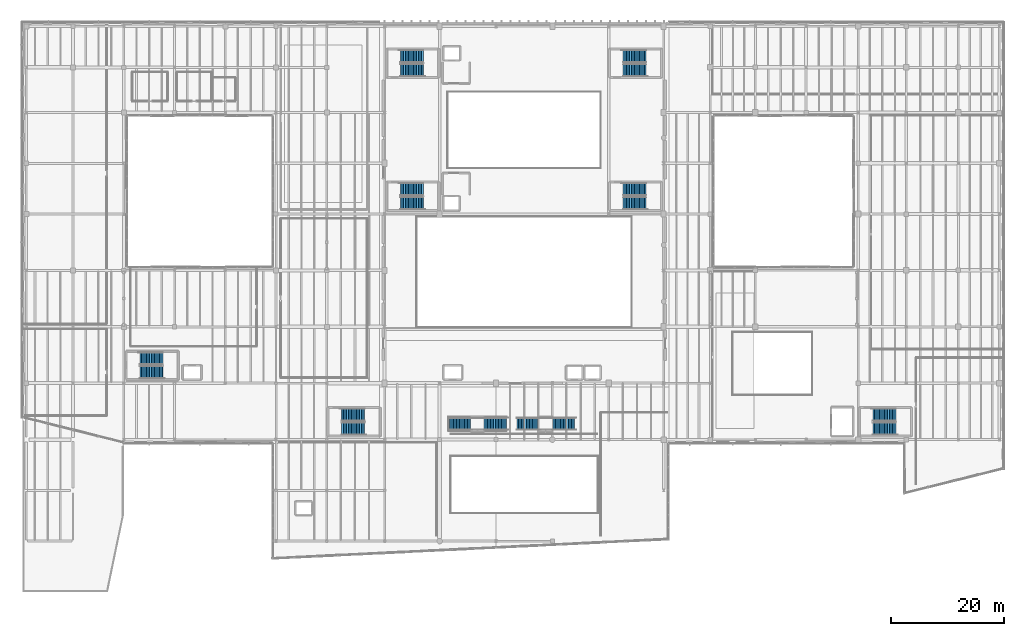
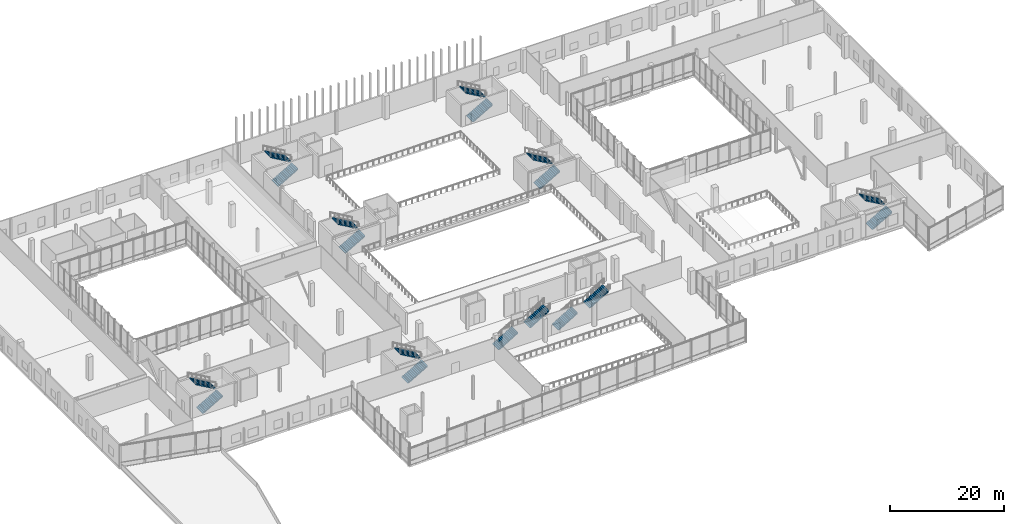
# One storey, part 66 of 81: 18 stair flights, 9 elements without a shape of their own.
"""IFC4 building model written with IfcOpenShell, lengths in metres."""

import ifcopenshell
import ifcopenshell.guid

model = None  # the IFC model being written
_history = None  # IfcOwnerHistory: only IFC2X3 demands one
_inside = {}  # id of a spatial element -> (the spatial element, [elements in it])
_under = {}  # id of a project, library or spatial element -> (it, [spatial elements below it])
_declared = {}  # id of a project -> (the project, [libraries it declares])
_typed = {}  # id of a type object -> (the type object, [elements of that type])
_made_of = {}  # id of a material, layer set ... -> (it, [elements and type objects made of it])


def new_model(schema):
    """Start an empty IFC model of exactly this schema.

    Asked for "IFC4X3", IfcOpenShell would pick the latest addendum, in which some entities
    have other attributes; the version numbers below select the first issue.
    IFC2X3 requires an IfcOwnerHistory on every rooted entity: one is made here for all.
    """
    global model, _history
    if schema == "IFC4X3":
        model = ifcopenshell.file(schema_version=(4, 3, 0, 0))
    else:
        model = ifcopenshell.file(schema=schema)
    _inside.clear()
    _under.clear()
    _declared.clear()
    _typed.clear()
    _made_of.clear()
    _history = None
    if model.schema == "IFC2X3":
        org = make("IfcOrganization", Name="unknown")
        user = make(
            "IfcPersonAndOrganization",
            ThePerson=make("IfcPerson", FamilyName="unknown"),
            TheOrganization=org,
        )
        app = make(
            "IfcApplication",
            ApplicationDeveloper=org,
            Version="unknown",
            ApplicationFullName="unknown",
            ApplicationIdentifier="unknown",
        )
        _history = make(
            "IfcOwnerHistory",
            OwningUser=user,
            OwningApplication=app,
            ChangeAction="ADDED",
            CreationDate=0,
        )
    return model


def make(cls, **values):
    """One entity of the class cls with the attributes given. An attribute that is None is left unset."""
    return model.create_entity(
        cls, **{name: value for name, value in values.items() if value is not None}
    )


def rooted(cls, **values):
    """An entity with a GlobalId (a new one), such as an element, a storey or a relation."""
    return make(cls, GlobalId=ifcopenshell.guid.new(), OwnerHistory=_history, **values)


def si_unit(unit_type, name, prefix=None):
    """IfcSIUnit, for example si_unit("LENGTHUNIT", "METRE", prefix="MILLI")."""
    return make("IfcSIUnit", UnitType=unit_type, Prefix=prefix, Name=name)


def assignment(units):
    """IfcUnitAssignment: the units of a project."""
    return None if units is None else make("IfcUnitAssignment", Units=units)


def point(xyz):
    """IfcCartesianPoint."""
    return None if xyz is None else make("IfcCartesianPoint", Coordinates=xyz)


def direction(xyz):
    """IfcDirection."""
    return None if xyz is None else make("IfcDirection", DirectionRatios=xyz)


def frame(location, z_axis=None, x_axis=None):
    """IfcAxis2Placement3D, a coordinate frame: its origin and axes. An axis left out is left unset."""
    return make(
        "IfcAxis2Placement3D",
        Location=point(location),
        Axis=direction(z_axis),
        RefDirection=direction(x_axis),
    )


def origin():
    """The frame at (0, 0, 0) with its axes left unset."""
    return frame((0.0, 0.0, 0.0))


def place(relative_to, where):
    """IfcLocalPlacement: puts the frame where relative to a parent placement (None: the world)."""
    return make(
        "IfcLocalPlacement", PlacementRelTo=relative_to, RelativePlacement=where
    )


def context(
    kind, dimensions, precision=None, world=None, true_north=None, identifier=None
):
    """IfcGeometricRepresentationContext, for example the 3D "Model" context."""
    return make(
        "IfcGeometricRepresentationContext",
        ContextIdentifier=identifier,
        ContextType=kind,
        CoordinateSpaceDimension=dimensions,
        Precision=precision,
        WorldCoordinateSystem=world,
        TrueNorth=true_north,
    )


def subcontext(parent, identifier, kind, view, scale=None):
    """IfcGeometricRepresentationSubContext, for example "Body" below "Model"."""
    return make(
        "IfcGeometricRepresentationSubContext",
        ContextIdentifier=identifier,
        ContextType=kind,
        ParentContext=parent,
        TargetScale=scale,
        TargetView=view,
    )


def project(units=None, contexts=None):
    """IfcProject with its units and contexts."""
    return rooted(
        "IfcProject",
        Name="project",
        RepresentationContexts=contexts,
        UnitsInContext=assignment(units),
    )


def spatial(cls, under=None, at=None, **own):
    """A site, building, storey or space (cls), placed at a placement, below another one or the project."""
    s = rooted(cls, ObjectPlacement=at, **own)
    if under is not None:
        _under.setdefault(under.id(), (under, []))[1].append(s)
    return s


def polyline(points):
    """IfcPolyline through the points."""
    return make("IfcPolyline", Points=[point(p) for p in points])


def outline(outer, holes=None, kind="AREA"):
    """IfcArbitraryClosedProfileDef: a profile drawn as a closed curve; with holes, ...WithVoids."""
    if holes is None:
        return make("IfcArbitraryClosedProfileDef", ProfileType=kind, OuterCurve=outer)
    return make(
        "IfcArbitraryProfileDefWithVoids",
        ProfileType=kind,
        OuterCurve=outer,
        InnerCurves=holes,
    )


def extrude(swept, where, along, depth):
    """IfcExtrudedAreaSolid: the profile swept, set in the frame where, extruded along a direction by depth."""
    return make(
        "IfcExtrudedAreaSolid",
        SweptArea=swept,
        Position=where,
        ExtrudedDirection=direction(along),
        Depth=depth,
    )


def shape(context_of_items, identifier, shape_type, items):
    """IfcShapeRepresentation: the items that make up one representation, for example the "Body"."""
    return make(
        "IfcShapeRepresentation",
        ContextOfItems=context_of_items,
        RepresentationIdentifier=identifier,
        RepresentationType=shape_type,
        Items=items,
    )


def material(Name=None, Category=None):
    """IfcMaterial."""
    return make("IfcMaterial", Name=Name, Category=Category)


def made_of(thing, what):
    """Note that an element or type object is made of a material, layer set ...; save() writes the relation."""
    if what is not None:
        _made_of.setdefault(what.id(), (what, []))[1].append(thing)
    return thing


def type_object(cls, material=None, **own):
    """A type object (cls), such as IfcWallType, which elements share."""
    return made_of(rooted(cls, **own), material)


def element(
    cls,
    number,
    at=None,
    inside=None,
    cuts=None,
    type_object=None,
    material=None,
    context=None,
    identifier="Body",
    shape_type=None,
    held_by="IfcProductDefinitionShape",
    body=None,
    shapes=None,
    **own,
):
    """One element of the class cls, such as IfcWall. Its Tag is "e" and its number.

    at: its placement. inside: the storey or other place that contains it. cuts: it is an
    opening in that element (IfcRelVoidsElement). A single representation is given by context,
    identifier, shape_type and body (its items); several are given by shapes. held_by: the class
    of the entity that holds the representations. save() writes the other relations.
    """
    e = rooted(cls, Tag="e%d" % number, ObjectPlacement=at, **own)
    if body is not None:
        shapes = [shape(context, identifier, shape_type, body)]
    if shapes is not None:
        e.Representation = make(held_by, Representations=shapes)
    if inside is not None:
        _inside.setdefault(inside.id(), (inside, []))[1].append(e)
    if cuts is not None:
        rooted(
            "IfcRelVoidsElement", RelatingBuildingElement=cuts, RelatedOpeningElement=e
        )
    if type_object is not None:
        _typed.setdefault(type_object.id(), (type_object, []))[1].append(e)
    return made_of(e, material)


def aggregate(whole, parts):
    """IfcRelAggregates: a whole, such as a stair, and the parts it consists of."""
    return rooted("IfcRelAggregates", RelatingObject=whole, RelatedObjects=parts)


def save(model, path):
    """Write the relations noted so far, then the file.

    IfcRelAggregates (storeys below a building ...), IfcRelContainedInSpatialStructure (elements
    in a storey), IfcRelDefinesByType, IfcRelAssociatesMaterial and IfcRelDeclares: one each for
    every whole, place, type object, material and project.
    """
    for whole, parts in _under.values():
        aggregate(whole, parts)
    for where, things in _inside.values():
        rooted(
            "IfcRelContainedInSpatialStructure",
            RelatedElements=things,
            RelatingStructure=where,
        )
    for kind, things in _typed.values():
        rooted("IfcRelDefinesByType", RelatedObjects=things, RelatingType=kind)
    for what, things in _made_of.values():
        rooted("IfcRelAssociatesMaterial", RelatedObjects=things, RelatingMaterial=what)
    for by, libraries in _declared.values():
        rooted("IfcRelDeclares", RelatingContext=by, RelatedDefinitions=libraries)
    model.write(path)


model = new_model("IFC4")

# Units and contexts
model_context = context("Model", 3, precision=1e-05, world=origin(), true_north=direction((0.0, 1.0)))
body_context = subcontext(model_context, "Body", "Model", "MODEL_VIEW")
ifc_project = project(units=[si_unit("LENGTHUNIT", "METRE"), si_unit("AREAUNIT", "SQUARE_METRE"), si_unit("VOLUMEUNIT", "CUBIC_METRE"), si_unit("PLANEANGLEUNIT", "RADIAN"), si_unit("MASSUNIT", "GRAM", prefix="KILO")], contexts=[model_context])

# Site, building, storey
site_placement = place(None, origin())
site = spatial("IfcSite", under=ifc_project, at=site_placement, CompositionType="ELEMENT")
building_placement = place(site_placement, origin())
building = spatial("IfcBuilding", under=site, at=building_placement, Name="Trimount Lyric Opera House", CompositionType="ELEMENT")
storey_placement = place(building_placement, frame((0.0, 0.0, 5.0)))
storey = spatial("IfcBuildingStorey", under=building, at=storey_placement, Name="L01", CompositionType="ELEMENT", Elevation=5.0)

# Stair, stair flights
ifc_material_1 = material(Name="Concrete C40/50", Category="concrete")
stair_type_1 = type_object("IfcStairType", Name="STR-CORE-A", PredefinedType="TWO_QUARTER_TURN_STAIR", material=ifc_material_1)
stair_1_placement = place(storey_placement, origin())
stair_1 = element("IfcStair", 1, at=stair_1_placement, inside=storey, type_object=stair_type_1, Name="L01 Exit Stair ST-01", PredefinedType="TWO_QUARTER_TURN_STAIR")
ifc_material_2 = material(Name="Concrete C40/50", Category="concrete")
stair_flight_type_1 = type_object("IfcStairFlightType", Name="SFL-CORE-A", PredefinedType="STRAIGHT", material=ifc_material_2)
stair_flight_1_placement = place(storey_placement, frame((67.050048828125, 109.52490234375, 0.0), z_axis=(0.0, 0.0, 1.0), x_axis=(1.0, 0.0, 0.0)))
stair_flight_1 = element("IfcStairFlight", 2, at=stair_flight_1_placement, type_object=stair_flight_type_1, Name="ST-01 flight 1", NumberOfRisers=15, NumberOfTreads=14, PredefinedType="STRAIGHT", RiserHeight=0.166666667, TreadLength=0.29, context=body_context, shape_type="SweptSolid", body=[
    extrude(outline(polyline([(0.0, 0.0), (0.0, 0.166748046875), (0.2900390625, 0.166748046875), (0.2900390625, 0.333251953125), (0.580078125, 0.333251953125), (0.580078125, 0.5), (0.8701171875, 0.5), (0.8701171875, 0.666748046875), (1.159912109375, 0.666748046875), (1.159912109375, 0.833251953125), (1.449951171875, 0.833251953125), (1.449951171875, 1.0), (1.739990234375, 1.0), (1.739990234375, 1.166748046875), (2.030029296875, 1.166748046875), (2.030029296875, 1.333251953125), (2.320068359375, 1.333251953125), (2.320068359375, 1.5), (2.610107421875, 1.5), (2.610107421875, 1.666748046875), (2.89990234375, 1.666748046875), (2.89990234375, 1.833251953125), (3.18994140625, 1.833251953125), (3.18994140625, 2.0), (3.47998046875, 2.0), (3.47998046875, 2.166748046875), (3.77001953125, 2.166748046875), (3.77001953125, 2.333251953125), (4.0439453125, 2.333251953125), (4.06005859375, 2.5), (4.06005859375, 2.160400390625), (0.30078125, 0.0), (0.0, 0.0)])), frame((0.0, 1.125, 0.0), z_axis=(0.0, -1.0, 0.0), x_axis=(1.0, 0.0, 0.0)), (0.0, 0.0, 1.0), 2.25),
])
stair_flight_2_placement = place(storey_placement, frame((71.110107421875, 111.97509765625, 2.5), z_axis=(0.0, 0.0, 1.0), x_axis=(-1.0, 0.0, 0.0)))
stair_flight_2 = element("IfcStairFlight", 3, at=stair_flight_2_placement, type_object=stair_flight_type_1, Name="ST-01 flight 2", NumberOfRisers=15, NumberOfTreads=14, PredefinedType="STRAIGHT", RiserHeight=0.166666667, TreadLength=0.29, context=body_context, shape_type="SweptSolid", body=[
    extrude(outline(polyline([(0.0, 0.0), (0.0, 0.166748046875), (0.2900390625, 0.166748046875), (0.2900390625, 0.333251953125), (0.580078125, 0.333251953125), (0.580078125, 0.5), (0.8701171875, 0.5), (0.8701171875, 0.666748046875), (1.159912109375, 0.666748046875), (1.159912109375, 0.833251953125), (1.449951171875, 0.833251953125), (1.449951171875, 1.0), (1.739990234375, 1.0), (1.739990234375, 1.166748046875), (2.030029296875, 1.166748046875), (2.030029296875, 1.333251953125), (2.320068359375, 1.333251953125), (2.320068359375, 1.5), (2.610107421875, 1.5), (2.610107421875, 1.666748046875), (2.89990234375, 1.666748046875), (2.89990234375, 1.833251953125), (3.18994140625, 1.833251953125), (3.18994140625, 2.0), (3.47998046875, 2.0), (3.47998046875, 2.166748046875), (3.77001953125, 2.166748046875), (3.77001953125, 2.333251953125), (4.0439453125, 2.333251953125), (4.06005859375, 2.5), (4.06005859375, 2.160400390625), (0.30078125, 0.0), (0.0, 0.0)])), frame((0.0, 1.125, 0.0), z_axis=(0.0, -1.0, 0.0), x_axis=(1.0, 0.0, 0.0)), (0.0, 0.0, 1.0), 2.25),
])
aggregate(stair_1, [stair_flight_1, stair_flight_2])

stair_2_placement = place(storey_placement, origin())
stair_2 = element("IfcStair", 4, at=stair_2_placement, inside=storey, type_object=stair_type_1, Name="L01 Exit Stair ST-02", PredefinedType="TWO_QUARTER_TURN_STAIR")
stair_flight_3_placement = place(storey_placement, frame((106.550048828125, 109.52490234375, 0.0), z_axis=(0.0, 0.0, 1.0), x_axis=(1.0, 0.0, 0.0)))
stair_flight_3 = element("IfcStairFlight", 5, at=stair_flight_3_placement, type_object=stair_flight_type_1, Name="ST-02 flight 1", NumberOfRisers=15, NumberOfTreads=14, PredefinedType="STRAIGHT", RiserHeight=0.166666667, TreadLength=0.29, context=body_context, shape_type="SweptSolid", body=[
    extrude(outline(polyline([(0.0, 0.0), (0.0, 0.166748046875), (0.2900390625, 0.166748046875), (0.2900390625, 0.333251953125), (0.580078125, 0.333251953125), (0.580078125, 0.5), (0.8701171875, 0.5), (0.8701171875, 0.666748046875), (1.159912109375, 0.666748046875), (1.159912109375, 0.833251953125), (1.449951171875, 0.833251953125), (1.449951171875, 1.0), (1.739990234375, 1.0), (1.739990234375, 1.166748046875), (2.030029296875, 1.166748046875), (2.030029296875, 1.333251953125), (2.320068359375, 1.333251953125), (2.320068359375, 1.5), (2.610107421875, 1.5), (2.610107421875, 1.666748046875), (2.89990234375, 1.666748046875), (2.89990234375, 1.833251953125), (3.18994140625, 1.833251953125), (3.18994140625, 2.0), (3.47998046875, 2.0), (3.47998046875, 2.166748046875), (3.77001953125, 2.166748046875), (3.77001953125, 2.333251953125), (4.0439453125, 2.333251953125), (4.06005859375, 2.5), (4.06005859375, 2.160400390625), (0.30078125, 0.0), (0.0, 0.0)])), frame((0.0, 1.125, 0.0), z_axis=(0.0, -1.0, 0.0), x_axis=(1.0, 0.0, 0.0)), (0.0, 0.0, 1.0), 2.25),
])
stair_flight_4_placement = place(storey_placement, frame((110.610107421875, 111.97509765625, 2.5), z_axis=(0.0, 0.0, 1.0), x_axis=(-1.0, 0.0, 0.0)))
stair_flight_4 = element("IfcStairFlight", 6, at=stair_flight_4_placement, type_object=stair_flight_type_1, Name="ST-02 flight 2", NumberOfRisers=15, NumberOfTreads=14, PredefinedType="STRAIGHT", RiserHeight=0.166666667, TreadLength=0.29, context=body_context, shape_type="SweptSolid", body=[
    extrude(outline(polyline([(0.0, 0.0), (0.0, 0.166748046875), (0.2900390625, 0.166748046875), (0.2900390625, 0.333251953125), (0.580078125, 0.333251953125), (0.580078125, 0.5), (0.8701171875, 0.5), (0.8701171875, 0.666748046875), (1.159912109375, 0.666748046875), (1.159912109375, 0.833251953125), (1.449951171875, 0.833251953125), (1.449951171875, 1.0), (1.739990234375, 1.0), (1.739990234375, 1.166748046875), (2.030029296875, 1.166748046875), (2.030029296875, 1.333251953125), (2.320068359375, 1.333251953125), (2.320068359375, 1.5), (2.610107421875, 1.5), (2.610107421875, 1.666748046875), (2.89990234375, 1.666748046875), (2.89990234375, 1.833251953125), (3.18994140625, 1.833251953125), (3.18994140625, 2.0), (3.47998046875, 2.0), (3.47998046875, 2.166748046875), (3.77001953125, 2.166748046875), (3.77001953125, 2.333251953125), (4.0439453125, 2.333251953125), (4.06005859375, 2.5), (4.06005859375, 2.160400390625), (0.30078125, 0.0), (0.0, 0.0)])), frame((0.0, 1.125, 0.0), z_axis=(0.0, -1.0, 0.0), x_axis=(1.0, 0.0, 0.0)), (0.0, 0.0, 1.0), 2.25),
])
aggregate(stair_2, [stair_flight_3, stair_flight_4])

stair_3_placement = place(storey_placement, origin())
stair_3 = element("IfcStair", 7, at=stair_3_placement, inside=storey, type_object=stair_type_1, Name="L01 Exit Stair ST-03", PredefinedType="TWO_QUARTER_TURN_STAIR")
stair_flight_5_placement = place(storey_placement, frame((67.050048828125, 85.925048828125, 0.0), z_axis=(0.0, 0.0, 1.0), x_axis=(1.0, 0.0, 0.0)))
stair_flight_5 = element("IfcStairFlight", 8, at=stair_flight_5_placement, type_object=stair_flight_type_1, Name="ST-03 flight 1", NumberOfRisers=15, NumberOfTreads=14, PredefinedType="STRAIGHT", RiserHeight=0.166666667, TreadLength=0.29, context=body_context, shape_type="SweptSolid", body=[
    extrude(outline(polyline([(0.0, 0.0), (0.0, 0.166748046875), (0.2900390625, 0.166748046875), (0.2900390625, 0.333251953125), (0.580078125, 0.333251953125), (0.580078125, 0.5), (0.8701171875, 0.5), (0.8701171875, 0.666748046875), (1.159912109375, 0.666748046875), (1.159912109375, 0.833251953125), (1.449951171875, 0.833251953125), (1.449951171875, 1.0), (1.739990234375, 1.0), (1.739990234375, 1.166748046875), (2.030029296875, 1.166748046875), (2.030029296875, 1.333251953125), (2.320068359375, 1.333251953125), (2.320068359375, 1.5), (2.610107421875, 1.5), (2.610107421875, 1.666748046875), (2.89990234375, 1.666748046875), (2.89990234375, 1.833251953125), (3.18994140625, 1.833251953125), (3.18994140625, 2.0), (3.47998046875, 2.0), (3.47998046875, 2.166748046875), (3.77001953125, 2.166748046875), (3.77001953125, 2.333251953125), (4.0439453125, 2.333251953125), (4.06005859375, 2.5), (4.06005859375, 2.160400390625), (0.30078125, 0.0), (0.0, 0.0)])), frame((0.0, 1.125, 0.0), z_axis=(0.0, -1.0, 0.0), x_axis=(1.0, 0.0, 0.0)), (0.0, 0.0, 1.0), 2.25),
])
stair_flight_6_placement = place(storey_placement, frame((71.110107421875, 88.375, 2.5), z_axis=(0.0, 0.0, 1.0), x_axis=(-1.0, 0.0, 0.0)))
stair_flight_6 = element("IfcStairFlight", 9, at=stair_flight_6_placement, type_object=stair_flight_type_1, Name="ST-03 flight 2", NumberOfRisers=15, NumberOfTreads=14, PredefinedType="STRAIGHT", RiserHeight=0.166666667, TreadLength=0.29, context=body_context, shape_type="SweptSolid", body=[
    extrude(outline(polyline([(0.0, 0.0), (0.0, 0.166748046875), (0.2900390625, 0.166748046875), (0.2900390625, 0.333251953125), (0.580078125, 0.333251953125), (0.580078125, 0.5), (0.8701171875, 0.5), (0.8701171875, 0.666748046875), (1.159912109375, 0.666748046875), (1.159912109375, 0.833251953125), (1.449951171875, 0.833251953125), (1.449951171875, 1.0), (1.739990234375, 1.0), (1.739990234375, 1.166748046875), (2.030029296875, 1.166748046875), (2.030029296875, 1.333251953125), (2.320068359375, 1.333251953125), (2.320068359375, 1.5), (2.610107421875, 1.5), (2.610107421875, 1.666748046875), (2.89990234375, 1.666748046875), (2.89990234375, 1.833251953125), (3.18994140625, 1.833251953125), (3.18994140625, 2.0), (3.47998046875, 2.0), (3.47998046875, 2.166748046875), (3.77001953125, 2.166748046875), (3.77001953125, 2.333251953125), (4.0439453125, 2.333251953125), (4.06005859375, 2.5), (4.06005859375, 2.160400390625), (0.30078125, 0.0), (0.0, 0.0)])), frame((0.0, 1.125, 0.0), z_axis=(0.0, -1.0, 0.0), x_axis=(1.0, 0.0, 0.0)), (0.0, 0.0, 1.0), 2.25),
])
aggregate(stair_3, [stair_flight_5, stair_flight_6])

stair_4_placement = place(storey_placement, origin())
stair_4 = element("IfcStair", 10, at=stair_4_placement, inside=storey, type_object=stair_type_1, Name="L01 Exit Stair ST-04", PredefinedType="TWO_QUARTER_TURN_STAIR")
stair_flight_7_placement = place(storey_placement, frame((106.550048828125, 85.925048828125, 0.0), z_axis=(0.0, 0.0, 1.0), x_axis=(1.0, 0.0, 0.0)))
stair_flight_7 = element("IfcStairFlight", 11, at=stair_flight_7_placement, type_object=stair_flight_type_1, Name="ST-04 flight 1", NumberOfRisers=15, NumberOfTreads=14, PredefinedType="STRAIGHT", RiserHeight=0.166666667, TreadLength=0.29, context=body_context, shape_type="SweptSolid", body=[
    extrude(outline(polyline([(0.0, 0.0), (0.0, 0.166748046875), (0.2900390625, 0.166748046875), (0.2900390625, 0.333251953125), (0.580078125, 0.333251953125), (0.580078125, 0.5), (0.8701171875, 0.5), (0.8701171875, 0.666748046875), (1.159912109375, 0.666748046875), (1.159912109375, 0.833251953125), (1.449951171875, 0.833251953125), (1.449951171875, 1.0), (1.739990234375, 1.0), (1.739990234375, 1.166748046875), (2.030029296875, 1.166748046875), (2.030029296875, 1.333251953125), (2.320068359375, 1.333251953125), (2.320068359375, 1.5), (2.610107421875, 1.5), (2.610107421875, 1.666748046875), (2.89990234375, 1.666748046875), (2.89990234375, 1.833251953125), (3.18994140625, 1.833251953125), (3.18994140625, 2.0), (3.47998046875, 2.0), (3.47998046875, 2.166748046875), (3.77001953125, 2.166748046875), (3.77001953125, 2.333251953125), (4.0439453125, 2.333251953125), (4.06005859375, 2.5), (4.06005859375, 2.160400390625), (0.30078125, 0.0), (0.0, 0.0)])), frame((0.0, 1.125, 0.0), z_axis=(0.0, -1.0, 0.0), x_axis=(1.0, 0.0, 0.0)), (0.0, 0.0, 1.0), 2.25),
])
stair_flight_8_placement = place(storey_placement, frame((110.610107421875, 88.375, 2.5), z_axis=(0.0, 0.0, 1.0), x_axis=(-1.0, 0.0, 0.0)))
stair_flight_8 = element("IfcStairFlight", 12, at=stair_flight_8_placement, type_object=stair_flight_type_1, Name="ST-04 flight 2", NumberOfRisers=15, NumberOfTreads=14, PredefinedType="STRAIGHT", RiserHeight=0.166666667, TreadLength=0.29, context=body_context, shape_type="SweptSolid", body=[
    extrude(outline(polyline([(0.0, 0.0), (0.0, 0.166748046875), (0.2900390625, 0.166748046875), (0.2900390625, 0.333251953125), (0.580078125, 0.333251953125), (0.580078125, 0.5), (0.8701171875, 0.5), (0.8701171875, 0.666748046875), (1.159912109375, 0.666748046875), (1.159912109375, 0.833251953125), (1.449951171875, 0.833251953125), (1.449951171875, 1.0), (1.739990234375, 1.0), (1.739990234375, 1.166748046875), (2.030029296875, 1.166748046875), (2.030029296875, 1.333251953125), (2.320068359375, 1.333251953125), (2.320068359375, 1.5), (2.610107421875, 1.5), (2.610107421875, 1.666748046875), (2.89990234375, 1.666748046875), (2.89990234375, 1.833251953125), (3.18994140625, 1.833251953125), (3.18994140625, 2.0), (3.47998046875, 2.0), (3.47998046875, 2.166748046875), (3.77001953125, 2.166748046875), (3.77001953125, 2.333251953125), (4.0439453125, 2.333251953125), (4.06005859375, 2.5), (4.06005859375, 2.160400390625), (0.30078125, 0.0), (0.0, 0.0)])), frame((0.0, 1.125, 0.0), z_axis=(0.0, -1.0, 0.0), x_axis=(1.0, 0.0, 0.0)), (0.0, 0.0, 1.0), 2.25),
])
aggregate(stair_4, [stair_flight_7, stair_flight_8])

stair_5_placement = place(storey_placement, origin())
stair_5 = element("IfcStair", 13, at=stair_5_placement, inside=storey, type_object=stair_type_1, Name="L01 Exit Stair ST-05", PredefinedType="TWO_QUARTER_TURN_STAIR")
stair_flight_9_placement = place(storey_placement, frame((150.85009765625, 45.925048828125, 0.0), z_axis=(0.0, 0.0, 1.0), x_axis=(1.0, 0.0, 0.0)))
stair_flight_9 = element("IfcStairFlight", 14, at=stair_flight_9_placement, type_object=stair_flight_type_1, Name="ST-05 flight 1", NumberOfRisers=15, NumberOfTreads=14, PredefinedType="STRAIGHT", RiserHeight=0.166666667, TreadLength=0.29, context=body_context, shape_type="SweptSolid", body=[
    extrude(outline(polyline([(0.0, 0.0), (0.0, 0.166748046875), (0.2900390625, 0.166748046875), (0.2900390625, 0.333251953125), (0.580078125, 0.333251953125), (0.580078125, 0.5), (0.8701171875, 0.5), (0.8701171875, 0.666748046875), (1.159912109375, 0.666748046875), (1.159912109375, 0.833251953125), (1.449951171875, 0.833251953125), (1.449951171875, 1.0), (1.739990234375, 1.0), (1.739990234375, 1.166748046875), (2.030029296875, 1.166748046875), (2.030029296875, 1.333251953125), (2.320068359375, 1.333251953125), (2.320068359375, 1.5), (2.610107421875, 1.5), (2.610107421875, 1.666748046875), (2.89990234375, 1.666748046875), (2.89990234375, 1.833251953125), (3.18994140625, 1.833251953125), (3.18994140625, 2.0), (3.47998046875, 2.0), (3.47998046875, 2.166748046875), (3.77001953125, 2.166748046875), (3.77001953125, 2.333251953125), (4.0439453125, 2.333251953125), (4.06005859375, 2.5), (4.06005859375, 2.160400390625), (0.30078125, 0.0), (0.0, 0.0)])), frame((0.0, 1.125, 0.0), z_axis=(0.0, -1.0, 0.0), x_axis=(1.0, 0.0, 0.0)), (0.0, 0.0, 1.0), 2.25),
])
stair_flight_10_placement = place(storey_placement, frame((154.909912109375, 48.375, 2.5), z_axis=(0.0, 0.0, 1.0), x_axis=(-1.0, 0.0, 0.0)))
stair_flight_10 = element("IfcStairFlight", 15, at=stair_flight_10_placement, type_object=stair_flight_type_1, Name="ST-05 flight 2", NumberOfRisers=15, NumberOfTreads=14, PredefinedType="STRAIGHT", RiserHeight=0.166666667, TreadLength=0.29, context=body_context, shape_type="SweptSolid", body=[
    extrude(outline(polyline([(0.0, 0.0), (0.0, 0.166748046875), (0.2900390625, 0.166748046875), (0.2900390625, 0.333251953125), (0.580078125, 0.333251953125), (0.580078125, 0.5), (0.8701171875, 0.5), (0.8701171875, 0.666748046875), (1.159912109375, 0.666748046875), (1.159912109375, 0.833251953125), (1.449951171875, 0.833251953125), (1.449951171875, 1.0), (1.739990234375, 1.0), (1.739990234375, 1.166748046875), (2.030029296875, 1.166748046875), (2.030029296875, 1.333251953125), (2.320068359375, 1.333251953125), (2.320068359375, 1.5), (2.610107421875, 1.5), (2.610107421875, 1.666748046875), (2.89990234375, 1.666748046875), (2.89990234375, 1.833251953125), (3.18994140625, 1.833251953125), (3.18994140625, 2.0), (3.47998046875, 2.0), (3.47998046875, 2.166748046875), (3.77001953125, 2.166748046875), (3.77001953125, 2.333251953125), (4.0439453125, 2.333251953125), (4.06005859375, 2.5), (4.06005859375, 2.160400390625), (0.30078125, 0.0), (0.0, 0.0)])), frame((0.0, 1.125, 0.0), z_axis=(0.0, -1.0, 0.0), x_axis=(1.0, 0.0, 0.0)), (0.0, 0.0, 1.0), 2.25),
])
aggregate(stair_5, [stair_flight_9, stair_flight_10])

stair_6_placement = place(storey_placement, origin())
stair_6 = element("IfcStair", 16, at=stair_6_placement, inside=storey, type_object=stair_type_1, Name="L01 Exit Stair ST-06", PredefinedType="TWO_QUARTER_TURN_STAIR")
stair_flight_11_placement = place(storey_placement, frame((20.85009765625, 55.925048828125, 0.0), z_axis=(0.0, 0.0, 1.0), x_axis=(1.0, 0.0, 0.0)))
stair_flight_11 = element("IfcStairFlight", 17, at=stair_flight_11_placement, type_object=stair_flight_type_1, Name="ST-06 flight 1", NumberOfRisers=15, NumberOfTreads=14, PredefinedType="STRAIGHT", RiserHeight=0.166666667, TreadLength=0.29, context=body_context, shape_type="SweptSolid", body=[
    extrude(outline(polyline([(0.0, 0.0), (0.0, 0.166748046875), (0.2900390625, 0.166748046875), (0.2900390625, 0.333251953125), (0.580078125, 0.333251953125), (0.580078125, 0.5), (0.8701171875, 0.5), (0.8701171875, 0.666748046875), (1.159912109375, 0.666748046875), (1.159912109375, 0.833251953125), (1.449951171875, 0.833251953125), (1.449951171875, 1.0), (1.739990234375, 1.0), (1.739990234375, 1.166748046875), (2.030029296875, 1.166748046875), (2.030029296875, 1.333251953125), (2.320068359375, 1.333251953125), (2.320068359375, 1.5), (2.610107421875, 1.5), (2.610107421875, 1.666748046875), (2.89990234375, 1.666748046875), (2.89990234375, 1.833251953125), (3.18994140625, 1.833251953125), (3.18994140625, 2.0), (3.47998046875, 2.0), (3.47998046875, 2.166748046875), (3.77001953125, 2.166748046875), (3.77001953125, 2.333251953125), (4.0439453125, 2.333251953125), (4.06005859375, 2.5), (4.06005859375, 2.160400390625), (0.30078125, 0.0), (0.0, 0.0)])), frame((0.0, 1.125, 0.0), z_axis=(0.0, -1.0, 0.0), x_axis=(1.0, 0.0, 0.0)), (0.0, 0.0, 1.0), 2.25),
])
stair_flight_12_placement = place(storey_placement, frame((24.909912109375, 58.375, 2.5), z_axis=(0.0, 0.0, 1.0), x_axis=(-1.0, 0.0, 0.0)))
stair_flight_12 = element("IfcStairFlight", 18, at=stair_flight_12_placement, type_object=stair_flight_type_1, Name="ST-06 flight 2", NumberOfRisers=15, NumberOfTreads=14, PredefinedType="STRAIGHT", RiserHeight=0.166666667, TreadLength=0.29, context=body_context, shape_type="SweptSolid", body=[
    extrude(outline(polyline([(0.0, 0.0), (0.0, 0.166748046875), (0.2900390625, 0.166748046875), (0.2900390625, 0.333251953125), (0.580078125, 0.333251953125), (0.580078125, 0.5), (0.8701171875, 0.5), (0.8701171875, 0.666748046875), (1.159912109375, 0.666748046875), (1.159912109375, 0.833251953125), (1.449951171875, 0.833251953125), (1.449951171875, 1.0), (1.739990234375, 1.0), (1.739990234375, 1.166748046875), (2.030029296875, 1.166748046875), (2.030029296875, 1.333251953125), (2.320068359375, 1.333251953125), (2.320068359375, 1.5), (2.610107421875, 1.5), (2.610107421875, 1.666748046875), (2.89990234375, 1.666748046875), (2.89990234375, 1.833251953125), (3.18994140625, 1.833251953125), (3.18994140625, 2.0), (3.47998046875, 2.0), (3.47998046875, 2.166748046875), (3.77001953125, 2.166748046875), (3.77001953125, 2.333251953125), (4.0439453125, 2.333251953125), (4.06005859375, 2.5), (4.06005859375, 2.160400390625), (0.30078125, 0.0), (0.0, 0.0)])), frame((0.0, 1.125, 0.0), z_axis=(0.0, -1.0, 0.0), x_axis=(1.0, 0.0, 0.0)), (0.0, 0.0, 1.0), 2.25),
])
aggregate(stair_6, [stair_flight_11, stair_flight_12])

stair_7_placement = place(storey_placement, origin())
stair_7 = element("IfcStair", 19, at=stair_7_placement, inside=storey, type_object=stair_type_1, Name="L01 Exit Stair ST-07", PredefinedType="TWO_QUARTER_TURN_STAIR")
stair_flight_13_placement = place(storey_placement, frame((56.64990234375, 45.925048828125, 0.0), z_axis=(0.0, 0.0, 1.0), x_axis=(1.0, 0.0, 0.0)))
stair_flight_13 = element("IfcStairFlight", 20, at=stair_flight_13_placement, type_object=stair_flight_type_1, Name="ST-07 flight 1", NumberOfRisers=15, NumberOfTreads=14, PredefinedType="STRAIGHT", RiserHeight=0.166666667, TreadLength=0.29, context=body_context, shape_type="SweptSolid", body=[
    extrude(outline(polyline([(0.0, 0.0), (0.0, 0.166748046875), (0.2900390625, 0.166748046875), (0.2900390625, 0.333251953125), (0.580078125, 0.333251953125), (0.580078125, 0.5), (0.8701171875, 0.5), (0.8701171875, 0.666748046875), (1.159912109375, 0.666748046875), (1.159912109375, 0.833251953125), (1.449951171875, 0.833251953125), (1.449951171875, 1.0), (1.739990234375, 1.0), (1.739990234375, 1.166748046875), (2.030029296875, 1.166748046875), (2.030029296875, 1.333251953125), (2.320068359375, 1.333251953125), (2.320068359375, 1.5), (2.610107421875, 1.5), (2.610107421875, 1.666748046875), (2.89990234375, 1.666748046875), (2.89990234375, 1.833251953125), (3.18994140625, 1.833251953125), (3.18994140625, 2.0), (3.47998046875, 2.0), (3.47998046875, 2.166748046875), (3.77001953125, 2.166748046875), (3.77001953125, 2.333251953125), (4.0439453125, 2.333251953125), (4.06005859375, 2.5), (4.06005859375, 2.160400390625), (0.30078125, 0.0), (0.0, 0.0)])), frame((0.0, 1.125, 0.0), z_axis=(0.0, -1.0, 0.0), x_axis=(1.0, 0.0, 0.0)), (0.0, 0.0, 1.0), 2.25),
])
stair_flight_14_placement = place(storey_placement, frame((60.7099609375, 48.375, 2.5), z_axis=(0.0, 0.0, 1.0), x_axis=(-1.0, 0.0, 0.0)))
stair_flight_14 = element("IfcStairFlight", 21, at=stair_flight_14_placement, type_object=stair_flight_type_1, Name="ST-07 flight 2", NumberOfRisers=15, NumberOfTreads=14, PredefinedType="STRAIGHT", RiserHeight=0.166666667, TreadLength=0.29, context=body_context, shape_type="SweptSolid", body=[
    extrude(outline(polyline([(0.0, 0.0), (0.0, 0.166748046875), (0.2900390625, 0.166748046875), (0.2900390625, 0.333251953125), (0.580078125, 0.333251953125), (0.580078125, 0.5), (0.8701171875, 0.5), (0.8701171875, 0.666748046875), (1.159912109375, 0.666748046875), (1.159912109375, 0.833251953125), (1.449951171875, 0.833251953125), (1.449951171875, 1.0), (1.739990234375, 1.0), (1.739990234375, 1.166748046875), (2.030029296875, 1.166748046875), (2.030029296875, 1.333251953125), (2.320068359375, 1.333251953125), (2.320068359375, 1.5), (2.610107421875, 1.5), (2.610107421875, 1.666748046875), (2.89990234375, 1.666748046875), (2.89990234375, 1.833251953125), (3.18994140625, 1.833251953125), (3.18994140625, 2.0), (3.47998046875, 2.0), (3.47998046875, 2.166748046875), (3.77001953125, 2.166748046875), (3.77001953125, 2.333251953125), (4.0439453125, 2.333251953125), (4.06005859375, 2.5), (4.06005859375, 2.160400390625), (0.30078125, 0.0), (0.0, 0.0)])), frame((0.0, 1.125, 0.0), z_axis=(0.0, -1.0, 0.0), x_axis=(1.0, 0.0, 0.0)), (0.0, 0.0, 1.0), 2.25),
])
aggregate(stair_7, [stair_flight_13, stair_flight_14])

ifc_material_3 = material(Name="Steel ASTM A36", Category="steel")
stair_type_2 = type_object("IfcStairType", Name="STR-FOY-2", PredefinedType="STRAIGHT_RUN_STAIR", material=ifc_material_3)
stair_8_placement = place(storey_placement, origin())
stair_8 = element("IfcStair", 22, at=stair_8_placement, inside=storey, type_object=stair_type_2, Name="Winter-Garden Upper Promenade Stair", PredefinedType="STRAIGHT_RUN_STAIR")
ifc_material_4 = material(Name="Steel ASTM A36", Category="steel")
stair_flight_type_2 = type_object("IfcStairFlightType", Name="SFL-FOY-2", PredefinedType="STRAIGHT", material=ifc_material_4)
stair_flight_15_placement = place(storey_placement, frame((75.60009765625, 46.800048828125, 0.0), z_axis=(0.0, 0.0, 1.0), x_axis=(1.0, 0.0, 0.0)))
stair_flight_15 = element("IfcStairFlight", 23, at=stair_flight_15_placement, type_object=stair_flight_type_2, Name="FS-03 flight 1", NumberOfRisers=15, NumberOfTreads=14, PredefinedType="STRAIGHT", RiserHeight=0.166666667, TreadLength=0.28, context=body_context, shape_type="SweptSolid", body=[
    extrude(outline(polyline([(0.0, 0.0), (0.0, 0.166748046875), (0.280029296875, 0.166748046875), (0.280029296875, 0.333251953125), (0.56005859375, 0.333251953125), (0.56005859375, 0.5), (0.840087890625, 0.5), (0.840087890625, 0.666748046875), (1.1201171875, 0.666748046875), (1.1201171875, 0.833251953125), (1.39990234375, 0.833251953125), (1.39990234375, 1.0), (1.679931640625, 1.0), (1.679931640625, 1.166748046875), (1.9599609375, 1.166748046875), (1.9599609375, 1.333251953125), (2.239990234375, 1.333251953125), (2.239990234375, 1.5), (2.52001953125, 1.5), (2.52001953125, 1.666748046875), (2.800048828125, 1.666748046875), (2.800048828125, 1.833251953125), (3.080078125, 1.833251953125), (3.080078125, 2.0), (3.360107421875, 2.0), (3.360107421875, 2.166748046875), (3.639892578125, 2.166748046875), (3.639892578125, 2.333251953125), (3.90380859375, 2.333251953125), (3.919921875, 2.5), (3.919921875, 2.135498046875), (0.332275390625, 0.0), (0.0, 0.0)])), frame((0.0, 1.10009765625, 0.0), z_axis=(0.0, -1.0, 0.0), x_axis=(1.0, 0.0, 0.0)), (0.0, 0.0, 1.0), 2.199951171875),
])
stair_flight_16_placement = place(storey_placement, frame((81.919921875, 46.800048828125, 2.5), z_axis=(0.0, 0.0, 1.0), x_axis=(1.0, 0.0, 0.0)))
stair_flight_16 = element("IfcStairFlight", 24, at=stair_flight_16_placement, type_object=stair_flight_type_2, Name="FS-03 flight 2", NumberOfRisers=15, NumberOfTreads=14, PredefinedType="STRAIGHT", RiserHeight=0.166666667, TreadLength=0.28, context=body_context, shape_type="SweptSolid", body=[
    extrude(outline(polyline([(0.0, 0.0), (0.0, 0.166748046875), (0.280029296875, 0.166748046875), (0.280029296875, 0.333251953125), (0.56005859375, 0.333251953125), (0.56005859375, 0.5), (0.840087890625, 0.5), (0.840087890625, 0.666748046875), (1.1201171875, 0.666748046875), (1.1201171875, 0.833251953125), (1.39990234375, 0.833251953125), (1.39990234375, 1.0), (1.679931640625, 1.0), (1.679931640625, 1.166748046875), (1.9599609375, 1.166748046875), (1.9599609375, 1.333251953125), (2.239990234375, 1.333251953125), (2.239990234375, 1.5), (2.52001953125, 1.5), (2.52001953125, 1.666748046875), (2.800048828125, 1.666748046875), (2.800048828125, 1.833251953125), (3.080078125, 1.833251953125), (3.080078125, 2.0), (3.360107421875, 2.0), (3.360107421875, 2.166748046875), (3.639892578125, 2.166748046875), (3.639892578125, 2.333251953125), (3.90380859375, 2.333251953125), (3.919921875, 2.5), (3.919921875, 2.135498046875), (0.332275390625, 0.0), (0.0, 0.0)])), frame((0.0, 1.10009765625, 0.0), z_axis=(0.0, -1.0, 0.0), x_axis=(1.0, 0.0, 0.0)), (0.0, 0.0, 1.0), 2.199951171875),
])
aggregate(stair_8, [stair_flight_15, stair_flight_16])

stair_9_placement = place(storey_placement, origin())
stair_9 = element("IfcStair", 25, at=stair_9_placement, inside=storey, type_object=stair_type_2, Name="Winter-Garden East Promenade Stair", PredefinedType="STRAIGHT_RUN_STAIR")
stair_flight_17_placement = place(storey_placement, frame((87.699951171875, 46.800048828125, 0.0), z_axis=(0.0, 0.0, 1.0), x_axis=(1.0, 0.0, 0.0)))
stair_flight_17 = element("IfcStairFlight", 26, at=stair_flight_17_placement, type_object=stair_flight_type_2, Name="FS-05 flight 1", NumberOfRisers=15, NumberOfTreads=14, PredefinedType="STRAIGHT", RiserHeight=0.166666667, TreadLength=0.28, context=body_context, shape_type="SweptSolid", body=[
    extrude(outline(polyline([(0.0, 0.0), (0.0, 0.166748046875), (0.280029296875, 0.166748046875), (0.280029296875, 0.333251953125), (0.56005859375, 0.333251953125), (0.56005859375, 0.5), (0.840087890625, 0.5), (0.840087890625, 0.666748046875), (1.1201171875, 0.666748046875), (1.1201171875, 0.833251953125), (1.39990234375, 0.833251953125), (1.39990234375, 1.0), (1.679931640625, 1.0), (1.679931640625, 1.166748046875), (1.9599609375, 1.166748046875), (1.9599609375, 1.333251953125), (2.239990234375, 1.333251953125), (2.239990234375, 1.5), (2.52001953125, 1.5), (2.52001953125, 1.666748046875), (2.800048828125, 1.666748046875), (2.800048828125, 1.833251953125), (3.080078125, 1.833251953125), (3.080078125, 2.0), (3.360107421875, 2.0), (3.360107421875, 2.166748046875), (3.639892578125, 2.166748046875), (3.639892578125, 2.333251953125), (3.90380859375, 2.333251953125), (3.919921875, 2.5), (3.919921875, 2.135498046875), (0.332275390625, 0.0), (0.0, 0.0)])), frame((0.0, 1.10009765625, 0.0), z_axis=(0.0, -1.0, 0.0), x_axis=(1.0, 0.0, 0.0)), (0.0, 0.0, 1.0), 2.199951171875),
])
stair_flight_18_placement = place(storey_placement, frame((94.02001953125, 46.800048828125, 2.5), z_axis=(0.0, 0.0, 1.0), x_axis=(1.0, 0.0, 0.0)))
stair_flight_18 = element("IfcStairFlight", 27, at=stair_flight_18_placement, type_object=stair_flight_type_2, Name="FS-05 flight 2", NumberOfRisers=15, NumberOfTreads=14, PredefinedType="STRAIGHT", RiserHeight=0.166666667, TreadLength=0.28, context=body_context, shape_type="SweptSolid", body=[
    extrude(outline(polyline([(0.0, 0.0), (0.0, 0.166748046875), (0.280029296875, 0.166748046875), (0.280029296875, 0.333251953125), (0.56005859375, 0.333251953125), (0.56005859375, 0.5), (0.840087890625, 0.5), (0.840087890625, 0.666748046875), (1.1201171875, 0.666748046875), (1.1201171875, 0.833251953125), (1.39990234375, 0.833251953125), (1.39990234375, 1.0), (1.679931640625, 1.0), (1.679931640625, 1.166748046875), (1.9599609375, 1.166748046875), (1.9599609375, 1.333251953125), (2.239990234375, 1.333251953125), (2.239990234375, 1.5), (2.52001953125, 1.5), (2.52001953125, 1.666748046875), (2.800048828125, 1.666748046875), (2.800048828125, 1.833251953125), (3.080078125, 1.833251953125), (3.080078125, 2.0), (3.360107421875, 2.0), (3.360107421875, 2.166748046875), (3.639892578125, 2.166748046875), (3.639892578125, 2.333251953125), (3.90380859375, 2.333251953125), (3.919921875, 2.5), (3.919921875, 2.135498046875), (0.332275390625, 0.0), (0.0, 0.0)])), frame((0.0, 1.10009765625, 0.0), z_axis=(0.0, -1.0, 0.0), x_axis=(1.0, 0.0, 0.0)), (0.0, 0.0, 1.0), 2.199951171875),
])
aggregate(stair_9, [stair_flight_17, stair_flight_18])

save(model, "model.ifc")
